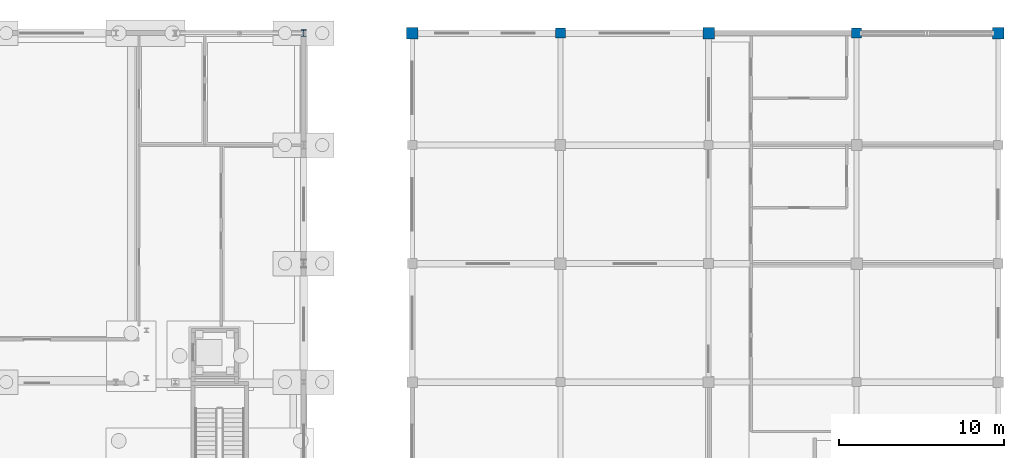
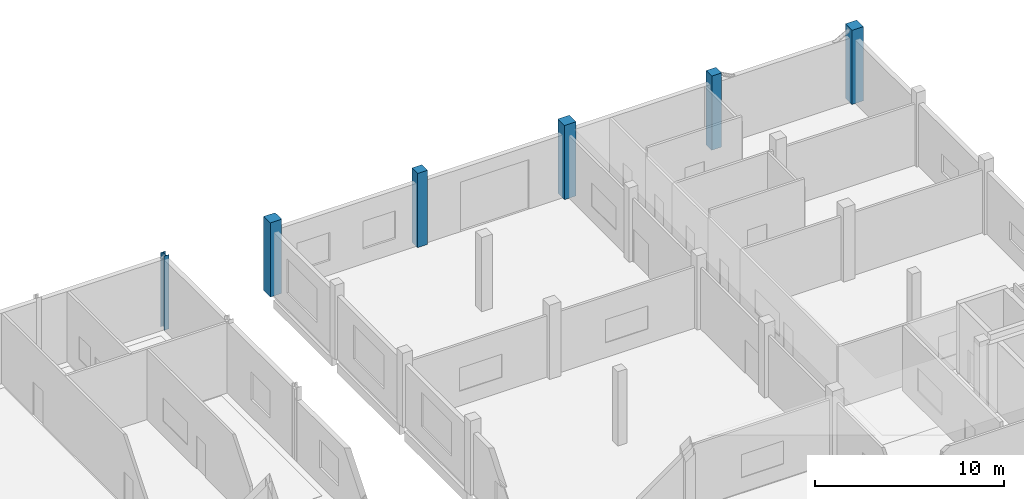
# One storey, part 23 of 91: 6 columns.
"""IFC4 building model written with IfcOpenShell, lengths in metres."""

from ifc_helpers import new_model, si_unit, direction, frame, origin, origin_2d, place, context, subcontext, project, spatial, rectangle, i_section, extrude, material, material_profile, profile_set, type_object, element, save


model = new_model("IFC4")

# Units and contexts
model_context = context("Model", 3, precision=1e-05, world=origin(), true_north=direction((0.0, 1.0)))
body_context = subcontext(model_context, "Body", "Model", "MODEL_VIEW")
ifc_project = project(units=[si_unit("LENGTHUNIT", "METRE"), si_unit("AREAUNIT", "SQUARE_METRE"), si_unit("VOLUMEUNIT", "CUBIC_METRE"), si_unit("PLANEANGLEUNIT", "RADIAN"), si_unit("MASSUNIT", "GRAM", prefix="KILO")], contexts=[model_context])

# Site, building, storey
site_placement = place(None, origin())
site = spatial("IfcSite", under=ifc_project, at=site_placement, CompositionType="ELEMENT")
building_placement = place(site_placement, origin())
building = spatial("IfcBuilding", under=site, at=building_placement, Name="Vinh Khe Railworks Police Headquarters", CompositionType="ELEMENT")
storey_placement = place(building_placement, origin())
storey = spatial("IfcBuildingStorey", under=building, at=storey_placement, Name="L00", CompositionType="ELEMENT", Elevation=0.0)

# Columns
ifc_material_1 = material(Name="Concrete C40/50 (B40)", Category="concrete")
ifc_material_profile_1 = material_profile(ifc_material_1, rectangle(XDim=0.60009765625, YDim=0.60009765625, at=origin_2d()), Name="RC 600x600")
ifc_profile_set_1 = profile_set([ifc_material_profile_1], Name="Concrete C40/50 (B40)")
column_type_1 = type_object("IfcColumnType", Name="RC Column RC 600x600", PredefinedType="COLUMN", material=ifc_profile_set_1)
for number, where, z_axis, x_axis, name in (
    (1, (87.0, 166.39990234375, 0.0), (0.0, 0.0, 1.0), (1.0, 0.0, 0.0), "Column COL-L00-CC-05-1267"),
    (2, (105.0, 166.39990234375, 0.0), (0.0, 0.0, 1.0), (1.0, 0.0, 0.0), "Column COL-L00-CC-05-1389"),
):
    element("IfcColumn", number, at=place(storey_placement, frame(where, z_axis=z_axis, x_axis=x_axis)), inside=storey, type_object=column_type_1, Name=name, PredefinedType="COLUMN", context=body_context, shape_type="SweptSolid", body=[
        extrude(rectangle(XDim=0.60009765625, YDim=0.60009765625, at=origin_2d()), origin(), (0.0, 0.0, 1.0), 4.800048828125),
    ])
ifc_material_profile_2 = material_profile(ifc_material_1, rectangle(XDim=0.699951171875, YDim=0.699951171875, at=origin_2d()), Name="RC 700x700")
ifc_profile_set_2 = profile_set([ifc_material_profile_2], Name="Concrete C40/50 (B40)")
column_type_2 = type_object("IfcColumnType", Name="RC Column RC 700x700", PredefinedType="COLUMN", material=ifc_profile_set_2)
for number, where, z_axis, x_axis, name in (
    (3, (78.0, 166.39990234375, 0.0), (0.0, 0.0, 1.0), (1.0, 0.0, 0.0), "Column COL-L00-CC-03-1206"),
    (4, (96.0, 166.39990234375, 0.0), (0.0, 0.0, 1.0), (1.0, 0.0, 0.0), "Column COL-L00-CC-03-1328"),
    (5, (113.60009765625, 166.39990234375, 0.0), (0.0, 0.0, 1.0), (1.0, 0.0, 0.0), "Column COL-L00-CC-03-1450"),
):
    element("IfcColumn", number, at=place(storey_placement, frame(where, z_axis=z_axis, x_axis=x_axis)), inside=storey, type_object=column_type_2, Name=name, PredefinedType="COLUMN", context=body_context, shape_type="SweptSolid", body=[
        extrude(rectangle(XDim=0.699951171875, YDim=0.699951171875, at=origin_2d()), origin(), (0.0, 0.0, 1.0), 4.800048828125),
    ])
ifc_material_2 = material(Name="Steel S355JR", Category="steel")
ifc_material_profile_3 = material_profile(ifc_material_2, i_section(OverallWidth=0.300048828125, OverallDepth=0.389892578125, WebThickness=0.010986328125, FlangeThickness=0.01904296875, FilletRadius=0.027099609375, at=origin_2d()), Name="HEA 400")
ifc_profile_set_3 = profile_set([ifc_material_profile_3], Name="Steel S355JR")
column_type_3 = type_object("IfcColumnType", Name="Steel Column HEA 400", PredefinedType="COLUMN", material=ifc_profile_set_3)
column_placement = place(storey_placement, frame((71.39990234375, 166.39990234375, 0.0), z_axis=(0.0, 0.0, 1.0), x_axis=(1.0, 0.0, 0.0)))
element("IfcColumn", 6, at=column_placement, inside=storey, type_object=column_type_3, Name="Column COL-L00-SC-15-1149", PredefinedType="COLUMN", context=body_context, shape_type="SweptSolid", body=[
    extrude(i_section(OverallWidth=0.300048828125, OverallDepth=0.389892578125, WebThickness=0.010986328125, FlangeThickness=0.01904296875, FilletRadius=0.027099609375, at=origin_2d()), origin(), (0.0, 0.0, 1.0), 4.800048828125),
])

save(model, "model.ifc")
